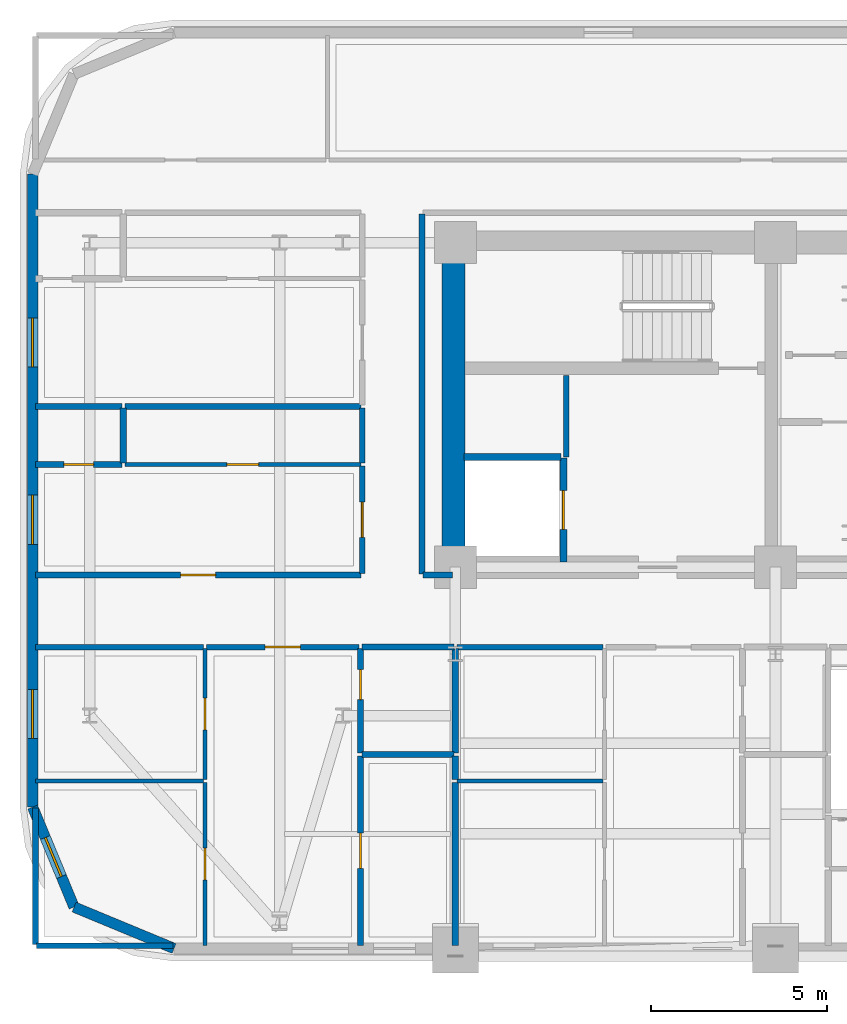
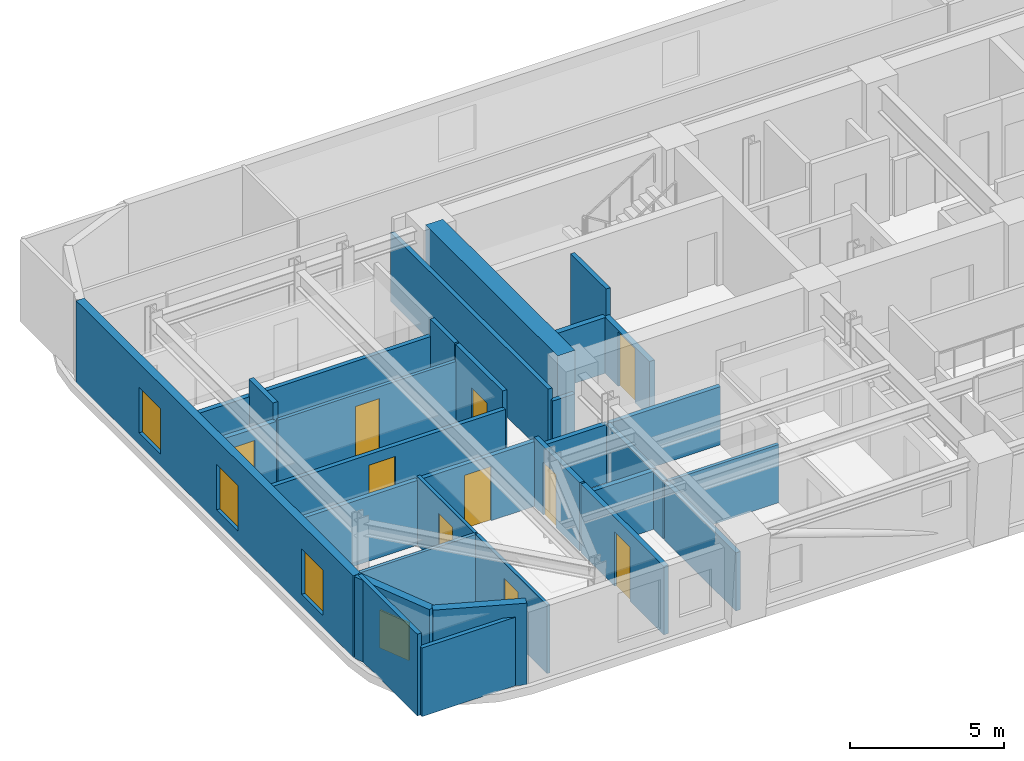
# One storey, part 8 of 16: 33 walls, 10 doors, 4 windows, 14 openings.
"""IFC4 building model written with IfcOpenShell, lengths in metres."""

from ifc_helpers import new_model, si_unit, direction, frame, frame_2d, origin, place, context, subcontext, project, spatial, rectangle, extrude, material, layer, layer_set, type_object, element, fill, save


model = new_model("IFC4")

# Units and contexts
model_context = context("Model", 3, precision=1e-05, world=origin(), true_north=direction((0.0, 1.0)))
body_context = subcontext(model_context, "Body", "Model", "MODEL_VIEW")
ifc_project = project(units=[si_unit("LENGTHUNIT", "METRE"), si_unit("AREAUNIT", "SQUARE_METRE"), si_unit("VOLUMEUNIT", "CUBIC_METRE"), si_unit("PLANEANGLEUNIT", "RADIAN"), si_unit("MASSUNIT", "GRAM", prefix="KILO")], contexts=[model_context])

# Site, building, storey
site_placement = place(None, origin())
site = spatial("IfcSite", under=ifc_project, at=site_placement, CompositionType="ELEMENT")
building_placement = place(site_placement, origin())
building = spatial("IfcBuilding", under=site, at=building_placement, Name="Zarnavel Station Tower", CompositionType="ELEMENT")
storey_placement = place(building_placement, frame((0.0, 0.0, 101.300048828125)))
storey = spatial("IfcBuildingStorey", under=building, at=storey_placement, Name="L27", CompositionType="ELEMENT", Elevation=101.300048828125)

# Wall
ifc_material_1 = material(Name="Concrete C60/75", Category="concrete")
ifc_layer_1 = layer(ifc_material_1, 0.64990234375)
ifc_layer_set_1 = layer_set([ifc_layer_1], Name="CW_650")
wall_type_1 = type_object("IfcWallType", Name="CW_650", PredefinedType="SHEAR", material=ifc_layer_set_1)
wall_1_placement = place(storey_placement, frame((12.14990234375, 28.14501953125, 0.0), z_axis=(0.0, 0.0, 1.0), x_axis=(0.0, 1.0, 0.0)))
element("IfcWall", 1, at=wall_1_placement, inside=storey, type_object=wall_type_1, Name="L27 Rear Core Shear Wall W", PredefinedType="SHEAR", context=body_context, shape_type="SweptSolid", body=[
    extrude(rectangle(XDim=8.580078125, YDim=0.64990234375, at=frame_2d((4.2900390625, 0.0))), origin(), (0.0, 0.0, 1.0), 3.5),
])

# Wall, openings, windows
ifc_material_2 = material(Name="Precast concrete C45/55 (Dark Basalt Finish)", Category="masonry")
ifc_layer_2 = layer(ifc_material_2, 0.300048828125)
ifc_layer_set_2 = layer_set([ifc_layer_2], Name="EW_BASALT_300")
wall_type_2 = type_object("IfcWallType", Name="EW_BASALT_300", PredefinedType="SOLIDWALL", material=ifc_layer_set_2)
wall_2_placement = place(storey_placement, frame((0.179931640625, 21.0, 0.0), z_axis=(0.0, 0.0, 1.0), x_axis=(0.0, 1.0, 0.0)))
wall_2 = element("IfcWall", 2, at=wall_2_placement, inside=storey, type_object=wall_type_2, Name="L27 Exterior Basalt Masonry Frame Wall 09", PredefinedType="SOLIDWALL", context=body_context, shape_type="SweptSolid", body=[
    extrude(rectangle(XDim=18.0, YDim=0.300048828125, at=frame_2d((9.0, 0.0))), origin(), (0.0, 0.0, 1.0), 3.239990234375),
])
opening_1_placement = place(wall_2_placement, frame((7.470458984375, 0.0, 0.47998046875)))
opening_1 = element("IfcOpeningElement", 3, at=opening_1_placement, cuts=wall_2, Name="Opening WN01", PredefinedType="OPENING", context=body_context, shape_type="SweptSolid", body=[
    extrude(rectangle(XDim=1.39990234375, YDim=1.800048828125, at=frame_2d((0.699951171875, 0.89990234375))), frame((0.0, 0.159912109375, 0.0), z_axis=(0.0, -1.0, 0.0), x_axis=(1.0, 0.0, 0.0)), (0.0, 0.0, 1.0), 0.320068359375),
])
opening_2_placement = place(wall_2_placement, frame((12.509033203125, 0.0, 0.47998046875)))
opening_2 = element("IfcOpeningElement", 4, at=opening_2_placement, cuts=wall_2, Name="Opening WN01", PredefinedType="OPENING", context=body_context, shape_type="SweptSolid", body=[
    extrude(rectangle(XDim=1.39990234375, YDim=1.800048828125, at=frame_2d((0.699951171875, 0.89990234375))), frame((0.0, 0.159912109375, 0.0), z_axis=(0.0, -1.0, 0.0), x_axis=(1.0, 0.0, 0.0)), (0.0, 0.0, 1.0), 0.320068359375),
])
opening_3_placement = place(wall_2_placement, frame((1.945556640625, 0.0, 0.47998046875)))
opening_3 = element("IfcOpeningElement", 5, at=opening_3_placement, cuts=wall_2, Name="Opening WN01", PredefinedType="OPENING", context=body_context, shape_type="SweptSolid", body=[
    extrude(rectangle(XDim=1.39990234375, YDim=1.800048828125, at=frame_2d((0.699951171875, 0.89990234375))), frame((0.0, 0.159912109375, 0.0), z_axis=(0.0, -1.0, 0.0), x_axis=(1.0, 0.0, 0.0)), (0.0, 0.0, 1.0), 0.320068359375),
])
ifc_material_3 = material(Name="Thermally Broken Black Aluminium and Low-E Dark Glass", Category="aluminium")
window_type_1 = type_object("IfcWindowType", Name="WN_1400x1800", PartitioningType="DOUBLE_PANEL_VERTICAL", PredefinedType="WINDOW", material=ifc_material_3)
window_1_placement = place(opening_1_placement, origin())
window_1 = element("IfcWindow", 6, at=window_1_placement, inside=storey, type_object=window_type_1, Name="L27 Recessed Facade Window 01", OverallHeight=1.800048828125, OverallWidth=1.39990234375, PartitioningType="SINGLE_PANEL", PredefinedType="WINDOW", context=body_context, shape_type="SweptSolid", body=[
    extrude(rectangle(XDim=1.39990234375, YDim=1.800048828125, at=frame_2d((0.699951171875, 0.89990234375))), frame((0.0, 0.030029296875, 0.0), z_axis=(0.0, -1.0, 0.0), x_axis=(1.0, 0.0, 0.0)), (0.0, 0.0, 1.0), 0.06005859375),
])
fill(opening_1, window_1)
window_2_placement = place(opening_2_placement, origin())
window_2 = element("IfcWindow", 7, at=window_2_placement, inside=storey, type_object=window_type_1, Name="L27 Recessed Facade Window 02", OverallHeight=1.800048828125, OverallWidth=1.39990234375, PartitioningType="SINGLE_PANEL", PredefinedType="WINDOW", context=body_context, shape_type="SweptSolid", body=[
    extrude(rectangle(XDim=1.39990234375, YDim=1.800048828125, at=frame_2d((0.699951171875, 0.89990234375))), frame((0.0, 0.030029296875, 0.0), z_axis=(0.0, -1.0, 0.0), x_axis=(1.0, 0.0, 0.0)), (0.0, 0.0, 1.0), 0.06005859375),
])
fill(opening_2, window_2)
window_3_placement = place(opening_3_placement, origin())
window_3 = element("IfcWindow", 8, at=window_3_placement, inside=storey, type_object=window_type_1, Name="L27 Recessed Facade Window 03", OverallHeight=1.800048828125, OverallWidth=1.39990234375, PartitioningType="SINGLE_PANEL", PredefinedType="WINDOW", context=body_context, shape_type="SweptSolid", body=[
    extrude(rectangle(XDim=1.39990234375, YDim=1.800048828125, at=frame_2d((0.699951171875, 0.89990234375))), frame((0.0, 0.030029296875, 0.0), z_axis=(0.0, -1.0, 0.0), x_axis=(1.0, 0.0, 0.0)), (0.0, 0.0, 1.0), 0.06005859375),
])
fill(opening_3, window_3)

# Wall, opening, window
wall_3_placement = place(storey_placement, frame((1.357421875, 18.157470703125, 0.0), z_axis=(0.0, 0.0, 1.0), x_axis=(-0.382704529509, 0.923870793506, 0.0)))
wall_3 = element("IfcWall", 9, at=wall_3_placement, inside=storey, type_object=wall_type_2, Name="L27 Exterior Basalt Masonry Frame Wall 10", PredefinedType="SOLIDWALL", context=body_context, shape_type="SweptSolid", body=[
    extrude(rectangle(XDim=3.07666015625, YDim=0.300048828125, at=frame_2d((1.538330078125, 0.0))), origin(), (0.0, 0.0, 1.0), 3.239990234375),
])
opening_4_placement = place(wall_3_placement, frame((0.9384765625, 0.0, 0.75)))
opening_4 = element("IfcOpeningElement", 10, at=opening_4_placement, cuts=wall_3, Name="Opening WN08", PredefinedType="OPENING", context=body_context, shape_type="SweptSolid", body=[
    extrude(rectangle(XDim=1.199951171875, YDim=1.5, at=frame_2d((0.60009765625, 0.75))), frame((0.0, 0.159912109375, 0.0), z_axis=(0.0, -1.0, 0.0), x_axis=(1.0, 0.0, 0.0)), (0.0, 0.0, 1.0), 0.320068359375),
])
ifc_material_4 = material(Name="Thermally Broken Black Aluminium and Low-E Dark Glass", Category="aluminium")
window_type_2 = type_object("IfcWindowType", Name="WN_1200x1500", PartitioningType="SINGLE_PANEL", PredefinedType="WINDOW", material=ifc_material_4)
window_4_placement = place(opening_4_placement, origin())
window_4 = element("IfcWindow", 11, at=window_4_placement, inside=storey, type_object=window_type_2, Name="L27 Recessed Facade Window 01", OverallHeight=1.5, OverallWidth=1.199951171875, PartitioningType="SINGLE_PANEL", PredefinedType="WINDOW", context=body_context, shape_type="SweptSolid", body=[
    extrude(rectangle(XDim=1.199951171875, YDim=1.5, at=frame_2d((0.60009765625, 0.75))), frame((0.0, 0.030029296875, 0.0), z_axis=(0.0, -1.0, 0.0), x_axis=(1.0, 0.0, 0.0)), (0.0, 0.0, 1.0), 0.06005859375),
])
fill(opening_4, window_4)

# Wall
wall_4_placement = place(storey_placement, frame((4.199951171875, 16.97998046875, 0.0), z_axis=(0.0, 0.0, 1.0), x_axis=(-0.923870793506, 0.382704529509, 0.0)))
element("IfcWall", 12, at=wall_4_placement, inside=storey, type_object=wall_type_2, Name="L27 Exterior Basalt Masonry Frame Wall 11", PredefinedType="SOLIDWALL", context=body_context, shape_type="SweptSolid", body=[
    extrude(rectangle(XDim=3.07666015625, YDim=0.300048828125, at=frame_2d((1.538330078125, 0.0))), origin(), (0.0, 0.0, 1.0), 3.239990234375),
])

# Wall, opening, door
ifc_material_5 = material(Name="Gypsum Twin-Stud Acoustic Fire Partition", Category="concrete")
ifc_layer_3 = layer(ifc_material_5, 0.159912109375)
ifc_layer_set_3 = layer_set([ifc_layer_3], Name="PT_DEMISE_160")
wall_type_3 = type_object("IfcWallType", Name="PT_DEMISE_160", PredefinedType="PARTITIONING", material=ifc_layer_set_3)
wall_5_placement = place(storey_placement, frame((0.260009765625, 27.60009765625, 0.0), z_axis=(0.0, 0.0, 1.0), x_axis=(1.0, 0.0, 0.0)))
wall_5 = element("IfcWall", 13, at=wall_5_placement, inside=storey, type_object=wall_type_3, Name="L27 Partition COR-S-FNW1R", PredefinedType="PARTITIONING", context=body_context, shape_type="SweptSolid", body=[
    extrude(rectangle(XDim=9.25, YDim=0.159912109375, at=frame_2d((4.625, 0.0))), origin(), (0.0, 0.0, 1.0), 2.570068359375),
])
opening_5_placement = place(wall_5_placement, frame((4.125, 0.0, 0.0)))
opening_5 = element("IfcOpeningElement", 14, at=opening_5_placement, cuts=wall_5, Name="Opening FD02", PredefinedType="OPENING", context=body_context, shape_type="SweptSolid", body=[
    extrude(rectangle(XDim=1.0, YDim=2.14990234375, at=frame_2d((0.5, 1.074951171875))), frame((0.0, 0.08984375, 0.0), z_axis=(0.0, -1.0, 0.0), x_axis=(1.0, 0.0, 0.0)), (0.0, 0.0, 1.0), 0.179931640625),
])
ifc_material_6 = material(Name="Painted Galvanised Steel and Hardwood Leaf", Category="steel")
door_type_1 = type_object("IfcDoorType", Name="ID_ENTRY_1000", OperationType="NOTDEFINED", PredefinedType="DOOR", material=ifc_material_6)
door_1_placement = place(opening_5_placement, origin())
door_1 = element("IfcDoor", 15, at=door_1_placement, inside=storey, type_object=door_type_1, Name="L27 Door COR-S-FNW1R", OperationType="SINGLE_SWING_LEFT", OverallHeight=2.14990234375, OverallWidth=1.0, PredefinedType="DOOR", context=body_context, shape_type="SweptSolid", body=[
    extrude(rectangle(XDim=1.0, YDim=2.14990234375, at=frame_2d((0.5, 1.074951171875))), frame((0.0, 0.02490234375, 0.0), z_axis=(0.0, -1.0, 0.0), x_axis=(1.0, 0.0, 0.0)), (0.0, 0.0, 1.0), 0.050048828125),
])
fill(opening_5, door_1)

wall_6_placement = place(storey_placement, frame((5.1220703125, 25.550048828125, 0.0), z_axis=(0.0, 0.0, 1.0), x_axis=(1.0, 0.0, 0.0)))
wall_6 = element("IfcWall", 16, at=wall_6_placement, inside=storey, type_object=wall_type_3, Name="L27 Partition COR-S-UW1ALV", PredefinedType="PARTITIONING", context=body_context, shape_type="SweptSolid", body=[
    extrude(rectangle(XDim=4.337890625, YDim=0.159912109375, at=frame_2d((2.1689453125, 0.0))), origin(), (0.0, 0.0, 1.0), 2.570068359375),
])
opening_6_placement = place(wall_6_placement, frame((1.6689453125, 0.0, 0.0)))
opening_6 = element("IfcOpeningElement", 17, at=opening_6_placement, cuts=wall_6, Name="Opening FD02", PredefinedType="OPENING", context=body_context, shape_type="SweptSolid", body=[
    extrude(rectangle(XDim=1.0, YDim=2.14990234375, at=frame_2d((0.5, 1.074951171875))), frame((0.0, 0.08984375, 0.0), z_axis=(0.0, -1.0, 0.0), x_axis=(1.0, 0.0, 0.0)), (0.0, 0.0, 1.0), 0.179931640625),
])
door_2_placement = place(opening_6_placement, origin())
door_2 = element("IfcDoor", 18, at=door_2_placement, inside=storey, type_object=door_type_1, Name="L27 Door COR-S-UW1ALV", OperationType="SINGLE_SWING_LEFT", OverallHeight=2.14990234375, OverallWidth=1.0, PredefinedType="DOOR", context=body_context, shape_type="SweptSolid", body=[
    extrude(rectangle(XDim=1.0, YDim=2.14990234375, at=frame_2d((0.5, 1.074951171875))), frame((0.0, 0.02490234375, 0.0), z_axis=(0.0, -1.0, 0.0), x_axis=(1.0, 0.0, 0.0)), (0.0, 0.0, 1.0), 0.050048828125),
])
fill(opening_6, door_2)

# Walls
wall_7_placement = place(storey_placement, frame((0.260009765625, 25.550048828125, 0.0), z_axis=(0.0, 0.0, 1.0), x_axis=(1.0, 0.0, 0.0)))
element("IfcWall", 19, at=wall_7_placement, inside=storey, type_object=wall_type_3, Name="L27 Partition COR-S-UW1AB2", PredefinedType="PARTITIONING", context=body_context, shape_type="SweptSolid", body=[
    extrude(rectangle(XDim=4.781982421875, YDim=0.159912109375, at=frame_2d((2.39111328125, 0.0))), origin(), (0.0, 0.0, 1.0), 2.570068359375),
])
wall_8_placement = place(storey_placement, frame((12.239990234375, 25.550048828125, 0.0), z_axis=(0.0, 0.0, 1.0), x_axis=(1.0, 0.0, 0.0)))
element("IfcWall", 20, at=wall_8_placement, inside=storey, type_object=wall_type_3, Name="L27 Partition COR-S-UW1BB2", PredefinedType="PARTITIONING", context=body_context, shape_type="SweptSolid", body=[
    extrude(rectangle(XDim=4.159912109375, YDim=0.159912109375, at=frame_2d((2.080078125, 0.0))), origin(), (0.0, 0.0, 1.0), 2.31005859375),
])

# Wall, opening, door
wall_9_placement = place(storey_placement, frame((9.550048828125, 27.639892578125, 0.0), z_axis=(0.0, 0.0, 1.0), x_axis=(0.0, 1.0, 0.0)))
wall_9 = element("IfcWall", 21, at=wall_9_placement, inside=storey, type_object=wall_type_3, Name="L27 Partition COR-W-FNW1R", PredefinedType="PARTITIONING", context=body_context, shape_type="SweptSolid", body=[
    extrude(rectangle(XDim=3.06103515625, YDim=0.159912109375, at=frame_2d((1.530517578125, 0.0))), origin(), (0.0, 0.0, 1.0), 3.239990234375),
])
opening_7_placement = place(wall_9_placement, frame((1.030517578125, 0.0, 0.0)))
opening_7 = element("IfcOpeningElement", 22, at=opening_7_placement, cuts=wall_9, Name="Opening FD02", PredefinedType="OPENING", context=body_context, shape_type="SweptSolid", body=[
    extrude(rectangle(XDim=1.0, YDim=2.14990234375, at=frame_2d((0.5, 1.074951171875))), frame((0.0, 0.08984375, 0.0), z_axis=(0.0, -1.0, 0.0), x_axis=(1.0, 0.0, 0.0)), (0.0, 0.0, 1.0), 0.179931640625),
])
door_3_placement = place(opening_7_placement, origin())
door_3 = element("IfcDoor", 23, at=door_3_placement, inside=storey, type_object=door_type_1, Name="L27 Door COR-W-FNW1R", OperationType="SINGLE_SWING_LEFT", OverallHeight=2.14990234375, OverallWidth=1.0, PredefinedType="DOOR", context=body_context, shape_type="SweptSolid", body=[
    extrude(rectangle(XDim=1.0, YDim=2.14990234375, at=frame_2d((0.5, 1.074951171875))), frame((0.0, 0.02490234375, 0.0), z_axis=(0.0, -1.0, 0.0), x_axis=(1.0, 0.0, 0.0)), (0.0, 0.0, 1.0), 0.050048828125),
])
fill(opening_7, door_3)

# Walls
wall_10_placement = place(storey_placement, frame((9.550048828125, 30.781005859375, 0.0), z_axis=(0.0, 0.0, 1.0), x_axis=(0.0, 1.0, 0.0)))
element("IfcWall", 24, at=wall_10_placement, inside=storey, type_object=wall_type_3, Name="L27 Partition COR-W-FNW1S", PredefinedType="PARTITIONING", context=body_context, shape_type="SweptSolid", body=[
    extrude(rectangle(XDim=1.570068359375, YDim=0.159912109375, at=frame_2d((0.78515625, 0.0))), origin(), (0.0, 0.0, 1.0), 3.239990234375),
])
wall_11_placement = place(storey_placement, frame((2.800048828125, 32.39111328125, 0.0), z_axis=(0.0, 0.0, 1.0), x_axis=(1.0, 0.0, 0.0)))
element("IfcWall", 25, at=wall_11_placement, inside=storey, type_object=wall_type_3, Name="L27 Partition FNW1S-FNW2R", PredefinedType="PARTITIONING", context=body_context, shape_type="SweptSolid", body=[
    extrude(rectangle(XDim=6.7099609375, YDim=0.159912109375, at=frame_2d((3.35498046875, 0.0))), origin(), (0.0, 0.0, 1.0), 2.570068359375),
])
wall_12_placement = place(storey_placement, frame((15.35009765625, 30.9599609375, 0.0), z_axis=(0.0, 0.0, 1.0), x_axis=(0.0, 1.0, 0.0)))
element("IfcWall", 26, at=wall_12_placement, inside=storey, type_object=wall_type_3, Name="L27 Enclosure Wall FFL1", PredefinedType="PARTITIONING", context=body_context, shape_type="SweptSolid", body=[
    extrude(rectangle(XDim=2.31005859375, YDim=0.159912109375, at=frame_2d((1.155029296875, 0.0))), origin(), (0.0, 0.0, 1.0), 3.239990234375),
])
wall_13_placement = place(storey_placement, frame((11.280029296875, 27.60009765625, 0.0), z_axis=(0.0, 0.0, 1.0), x_axis=(1.0, 0.0, 0.0)))
element("IfcWall", 27, at=wall_13_placement, inside=storey, type_object=wall_type_3, Name="L27 Enclosure Wall COR-S", PredefinedType="PARTITIONING", context=body_context, shape_type="SweptSolid", body=[
    extrude(rectangle(XDim=0.840087890625, YDim=0.159912109375, at=frame_2d((0.419921875, 0.0))), origin(), (0.0, 0.0, 1.0), 2.280029296875),
])
wall_14_placement = place(storey_placement, frame((11.25, 27.6298828125, 0.0), z_axis=(0.0, 0.0, 1.0), x_axis=(0.0, 1.0, 0.0)))
element("IfcWall", 28, at=wall_14_placement, inside=storey, type_object=wall_type_3, Name="L27 Enclosure Wall COR-W", PredefinedType="PARTITIONING", context=body_context, shape_type="SweptSolid", body=[
    extrude(rectangle(XDim=10.240234375, YDim=0.159912109375, at=frame_2d((5.1201171875, 0.0))), origin(), (0.0, 0.0, 1.0), 2.719970703125),
])
wall_15_placement = place(storey_placement, frame((0.2900390625, 17.06005859375, 0.0), z_axis=(0.0, 0.0, 1.0), x_axis=(1.0, 0.0, 0.0)))
element("IfcWall", 29, at=wall_15_placement, inside=storey, type_object=wall_type_3, Name="L27 Enclosure Wall UW1AB1", PredefinedType="PARTITIONING", context=body_context, shape_type="SweptSolid", body=[
    extrude(rectangle(XDim=3.8798828125, YDim=0.159912109375, at=frame_2d((1.93994140625, 0.0))), origin(), (0.0, 0.0, 1.0), 2.719970703125),
])
wall_16_placement = place(storey_placement, frame((0.260009765625, 17.090087890625, 0.0), z_axis=(0.0, 0.0, 1.0), x_axis=(0.0, 1.0, 0.0)))
element("IfcWall", 30, at=wall_16_placement, inside=storey, type_object=wall_type_3, Name="L27 Enclosure Wall UW1AB1", PredefinedType="PARTITIONING", context=body_context, shape_type="SweptSolid", body=[
    extrude(rectangle(XDim=3.8798828125, YDim=0.159912109375, at=frame_2d((1.93994140625, 0.0))), origin(), (0.0, 0.0, 1.0), 3.239990234375),
])

# Wall, opening, door
ifc_material_7 = material(Name="Gypsum Metal-Stud Interior Partition", Category="concrete")
ifc_layer_4 = layer(ifc_material_7, 0.1201171875)
ifc_layer_set_4 = layer_set([ifc_layer_4], Name="PT_ROOM_120")
wall_type_4 = type_object("IfcWallType", Name="PT_ROOM_120", PredefinedType="PARTITIONING", material=ifc_layer_set_4)
wall_17_placement = place(storey_placement, frame((2.800048828125, 30.740966796875, 0.0), z_axis=(0.0, 0.0, 1.0), x_axis=(1.0, 0.0, 0.0)))
wall_17 = element("IfcWall", 31, at=wall_17_placement, inside=storey, type_object=wall_type_4, Name="L27 Partition FNW1R-FNW1S", PredefinedType="PARTITIONING", context=body_context, shape_type="SweptSolid", body=[
    extrude(rectangle(XDim=6.7099609375, YDim=0.1201171875, at=frame_2d((3.35498046875, 0.0))), origin(), (0.0, 0.0, 1.0), 2.570068359375),
])
opening_8_placement = place(wall_17_placement, frame((2.905029296875, 0.0, 0.0)))
opening_8 = element("IfcOpeningElement", 32, at=opening_8_placement, cuts=wall_17, Name="Opening ID01", PredefinedType="OPENING", context=body_context, shape_type="SweptSolid", body=[
    extrude(rectangle(XDim=0.89990234375, YDim=2.10009765625, at=frame_2d((0.449951171875, 1.050048828125))), frame((0.0, 0.070068359375, 0.0), z_axis=(0.0, -1.0, 0.0), x_axis=(1.0, 0.0, 0.0)), (0.0, 0.0, 1.0), 0.14013671875),
])
ifc_material_8 = material(Name="Painted Galvanised Steel and Hardwood Leaf", Category="steel")
door_type_2 = type_object("IfcDoorType", Name="ID_ROOM_900", OperationType="NOTDEFINED", PredefinedType="DOOR", material=ifc_material_8)
door_4_placement = place(opening_8_placement, origin())
door_4 = element("IfcDoor", 33, at=door_4_placement, inside=storey, type_object=door_type_2, Name="L27 Door FNW1R-FNW1S", OperationType="SINGLE_SWING_LEFT", OverallHeight=2.10009765625, OverallWidth=0.89990234375, PredefinedType="DOOR", context=body_context, shape_type="SweptSolid", body=[
    extrude(rectangle(XDim=0.89990234375, YDim=2.10009765625, at=frame_2d((0.449951171875, 1.050048828125))), frame((0.0, 0.02490234375, 0.0), z_axis=(0.0, -1.0, 0.0), x_axis=(1.0, 0.0, 0.0)), (0.0, 0.0, 1.0), 0.050048828125),
])
fill(opening_8, door_4)

wall_18_placement = place(storey_placement, frame((5.08203125, 17.06005859375, 0.0), z_axis=(0.0, 0.0, 1.0), x_axis=(0.0, 1.0, 0.0)))
wall_18 = element("IfcWall", 34, at=wall_18_placement, inside=storey, type_object=wall_type_4, Name="L27 Partition UW1ALV-UW1AB1", PredefinedType="PARTITIONING", context=body_context, shape_type="SweptSolid", body=[
    extrude(rectangle(XDim=4.640869140625, YDim=0.1201171875, at=frame_2d((2.3203125, 0.0))), origin(), (0.0, 0.0, 1.0), 2.719970703125),
])
opening_9_placement = place(wall_18_placement, frame((1.87060546875, 0.0, 0.0)))
opening_9 = element("IfcOpeningElement", 35, at=opening_9_placement, cuts=wall_18, Name="Opening ID01", PredefinedType="OPENING", context=body_context, shape_type="SweptSolid", body=[
    extrude(rectangle(XDim=0.89990234375, YDim=2.10009765625, at=frame_2d((0.449951171875, 1.050048828125))), frame((0.0, 0.070068359375, 0.0), z_axis=(0.0, -1.0, 0.0), x_axis=(1.0, 0.0, 0.0)), (0.0, 0.0, 1.0), 0.14013671875),
])
door_5_placement = place(opening_9_placement, origin())
door_5 = element("IfcDoor", 36, at=door_5_placement, inside=storey, type_object=door_type_2, Name="L27 Door UW1ALV-UW1AB1", OperationType="SINGLE_SWING_LEFT", OverallHeight=2.10009765625, OverallWidth=0.89990234375, PredefinedType="DOOR", context=body_context, shape_type="SweptSolid", body=[
    extrude(rectangle(XDim=0.89990234375, YDim=2.10009765625, at=frame_2d((0.449951171875, 1.050048828125))), frame((0.0, 0.02490234375, 0.0), z_axis=(0.0, -1.0, 0.0), x_axis=(1.0, 0.0, 0.0)), (0.0, 0.0, 1.0), 0.050048828125),
])
fill(opening_9, door_5)

wall_19_placement = place(storey_placement, frame((5.08203125, 21.781005859375, 0.0), z_axis=(0.0, 0.0, 1.0), x_axis=(0.0, 1.0, 0.0)))
wall_19 = element("IfcWall", 37, at=wall_19_placement, inside=storey, type_object=wall_type_4, Name="L27 Partition UW1ALV-UW1AB2", PredefinedType="PARTITIONING", context=body_context, shape_type="SweptSolid", body=[
    extrude(rectangle(XDim=3.72900390625, YDim=0.1201171875, at=frame_2d((1.864501953125, 0.0))), origin(), (0.0, 0.0, 1.0), 2.719970703125),
])
opening_10_placement = place(wall_19_placement, frame((1.41455078125, 0.0, 0.0)))
opening_10 = element("IfcOpeningElement", 38, at=opening_10_placement, cuts=wall_19, Name="Opening ID01", PredefinedType="OPENING", context=body_context, shape_type="SweptSolid", body=[
    extrude(rectangle(XDim=0.89990234375, YDim=2.10009765625, at=frame_2d((0.449951171875, 1.050048828125))), frame((0.0, 0.070068359375, 0.0), z_axis=(0.0, -1.0, 0.0), x_axis=(1.0, 0.0, 0.0)), (0.0, 0.0, 1.0), 0.14013671875),
])
door_6_placement = place(opening_10_placement, origin())
door_6 = element("IfcDoor", 39, at=door_6_placement, inside=storey, type_object=door_type_2, Name="L27 Door UW1ALV-UW1AB2", OperationType="SINGLE_SWING_RIGHT", OverallHeight=2.10009765625, OverallWidth=0.89990234375, PredefinedType="DOOR", context=body_context, shape_type="SweptSolid", body=[
    extrude(rectangle(XDim=0.89990234375, YDim=2.10009765625, at=frame_2d((0.449951171875, 1.050048828125))), frame((0.0, 0.02490234375, 0.0), z_axis=(0.0, -1.0, 0.0), x_axis=(1.0, 0.0, 0.0)), (0.0, 0.0, 1.0), 0.050048828125),
])
fill(opening_10, door_6)

# Walls
wall_20_placement = place(storey_placement, frame((0.260009765625, 21.740966796875, 0.0), z_axis=(0.0, 0.0, 1.0), x_axis=(1.0, 0.0, 0.0)))
element("IfcWall", 40, at=wall_20_placement, inside=storey, type_object=wall_type_4, Name="L27 Partition UW1AB1-UW1AB2", PredefinedType="PARTITIONING", context=body_context, shape_type="SweptSolid", body=[
    extrude(rectangle(XDim=4.781982421875, YDim=0.1201171875, at=frame_2d((2.39111328125, 0.0))), origin(), (0.0, 0.0, 1.0), 2.719970703125),
])
wall_21_placement = place(storey_placement, frame((12.239990234375, 21.740966796875, 0.0), z_axis=(0.0, 0.0, 1.0), x_axis=(1.0, 0.0, 0.0)))
element("IfcWall", 41, at=wall_21_placement, inside=storey, type_object=wall_type_4, Name="L27 Partition UW1BB1-UW1BB2", PredefinedType="PARTITIONING", context=body_context, shape_type="SweptSolid", body=[
    extrude(rectangle(XDim=4.159912109375, YDim=0.1201171875, at=frame_2d((2.080078125, 0.0))), origin(), (0.0, 0.0, 1.0), 2.31005859375),
])

# Wall, opening, door
ifc_material_9 = material(Name="Precast concrete C45/55 (Fire Shaft Blockwork)", Category="masonry")
ifc_layer_5 = layer(ifc_material_9, 0.199951171875)
ifc_layer_set_5 = layer_set([ifc_layer_5], Name="PT_SHAFT_200")
wall_type_5 = type_object("IfcWallType", Name="PT_SHAFT_200", PredefinedType="PARTITIONING", material=ifc_layer_set_5)
wall_22_placement = place(storey_placement, frame((15.27001953125, 27.969970703125, 0.0), z_axis=(0.0, 0.0, 1.0), x_axis=(0.0, 1.0, 0.0)))
wall_22 = element("IfcWall", 42, at=wall_22_placement, inside=storey, type_object=wall_type_5, Name="L27 Lift FFL-01 Shaft Front Wall", PredefinedType="PARTITIONING", context=body_context, shape_type="SweptSolid", body=[
    extrude(rectangle(XDim=2.9599609375, YDim=0.199951171875, at=frame_2d((1.47998046875, 0.0))), origin(), (0.0, 0.0, 1.0), 2.2119140625),
])
opening_11_placement = place(wall_22_placement, frame((0.929931640625, 0.0, 0.0)))
opening_11 = element("IfcOpeningElement", 43, at=opening_11_placement, cuts=wall_22, Name="Opening LD01", PredefinedType="OPENING", context=body_context, shape_type="SweptSolid", body=[
    extrude(rectangle(XDim=1.10009765625, YDim=2.14990234375, at=frame_2d((0.550048828125, 1.074951171875))), frame((0.0, 0.10986328125, 0.0), z_axis=(0.0, -1.0, 0.0), x_axis=(1.0, 0.0, 0.0)), (0.0, 0.0, 1.0), 0.219970703125),
])
ifc_material_10 = material(Name="Painted Galvanised Steel and Hardwood Leaf", Category="steel")
door_type_3 = type_object("IfcDoorType", Name="LD_FF_1100", OperationType="DOUBLE_DOOR_SLIDING", PredefinedType="DOOR", material=ifc_material_10)
door_7_placement = place(opening_11_placement, origin())
door_7 = element("IfcDoor", 44, at=door_7_placement, inside=storey, type_object=door_type_3, Name="L27 Lift FFL-01 Sliding Landing Door", OperationType="DOUBLE_DOOR_SLIDING", OverallHeight=2.14990234375, OverallWidth=1.10009765625, PredefinedType="DOOR", context=body_context, shape_type="SweptSolid", body=[
    extrude(rectangle(XDim=1.10009765625, YDim=2.14990234375, at=frame_2d((0.550048828125, 1.074951171875))), frame((0.0, 0.02490234375, 0.0), z_axis=(0.0, -1.0, 0.0), x_axis=(1.0, 0.0, 0.0)), (0.0, 0.0, 1.0), 0.050048828125),
])
fill(opening_11, door_7)

# Walls
wall_23_placement = place(storey_placement, frame((12.449951171875, 30.949951171875, 0.0), z_axis=(0.0, 0.0, 1.0), x_axis=(1.0, 0.0, 0.0)))
element("IfcWall", 45, at=wall_23_placement, inside=storey, type_object=wall_type_5, Name="L27 Lift FFL-01 North Shaft Wall", PredefinedType="PARTITIONING", context=body_context, shape_type="SweptSolid", body=[
    extrude(rectangle(XDim=2.75, YDim=0.199951171875, at=frame_2d((1.375, 0.0))), origin(), (0.0, 0.0, 1.0), 2.2119140625),
])
ifc_material_11 = material(Name="Moisture-Resistant Plumbing Chase Wall", Category="concrete")
ifc_layer_6 = layer(ifc_material_11, 0.179931640625)
ifc_layer_set_6 = layer_set([ifc_layer_6], Name="PW_PLUMB_180")
wall_type_6 = type_object("IfcWallType", Name="PW_PLUMB_180", PredefinedType="PLUMBINGWALL", material=ifc_layer_set_6)
wall_24_placement = place(storey_placement, frame((9.5400390625, 25.550048828125, 0.0), z_axis=(0.0, 0.0, 1.0), x_axis=(1.0, 0.0, 0.0)))
element("IfcWall", 46, at=wall_24_placement, inside=storey, type_object=wall_type_6, Name="L27 Partition COR-S-UW1ABA", PredefinedType="PLUMBINGWALL", context=body_context, shape_type="SweptSolid", body=[
    extrude(rectangle(XDim=2.619873046875, YDim=0.179931640625, at=frame_2d((1.31005859375, 0.0))), origin(), (0.0, 0.0, 1.0), 2.31005859375),
])

# Wall, opening, door
wall_25_placement = place(storey_placement, frame((0.260009765625, 30.740966796875, 0.0), z_axis=(0.0, 0.0, 1.0), x_axis=(1.0, 0.0, 0.0)))
wall_25 = element("IfcWall", 47, at=wall_25_placement, inside=storey, type_object=wall_type_6, Name="L27 Partition FNW1R-FNW1B", PredefinedType="PLUMBINGWALL", context=body_context, shape_type="SweptSolid", body=[
    extrude(rectangle(XDim=2.4599609375, YDim=0.179931640625, at=frame_2d((1.22998046875, 0.0))), origin(), (0.0, 0.0, 1.0), 2.570068359375),
])
opening_12_placement = place(wall_25_placement, frame((0.804931640625, 0.0, 0.0)))
opening_12 = element("IfcOpeningElement", 48, at=opening_12_placement, cuts=wall_25, Name="Opening ID02", PredefinedType="OPENING", context=body_context, shape_type="SweptSolid", body=[
    extrude(rectangle(XDim=0.85009765625, YDim=2.10009765625, at=frame_2d((0.425048828125, 1.050048828125))), frame((0.0, 0.099853515625, 0.0), z_axis=(0.0, -1.0, 0.0), x_axis=(1.0, 0.0, 0.0)), (0.0, 0.0, 1.0), 0.199951171875),
])
ifc_material_12 = material(Name="Painted Galvanised Steel and Hardwood Leaf", Category="steel")
door_type_4 = type_object("IfcDoorType", Name="ID_BATH_850", OperationType="NOTDEFINED", PredefinedType="DOOR", material=ifc_material_12)
door_8_placement = place(opening_12_placement, origin())
door_8 = element("IfcDoor", 49, at=door_8_placement, inside=storey, type_object=door_type_4, Name="L27 Door FNW1R-FNW1B", OperationType="SINGLE_SWING_RIGHT", OverallHeight=2.10009765625, OverallWidth=0.85009765625, PredefinedType="DOOR", context=body_context, shape_type="SweptSolid", body=[
    extrude(rectangle(XDim=0.85009765625, YDim=2.10009765625, at=frame_2d((0.425048828125, 1.050048828125))), frame((0.0, 0.02490234375, 0.0), z_axis=(0.0, -1.0, 0.0), x_axis=(1.0, 0.0, 0.0)), (0.0, 0.0, 1.0), 0.050048828125),
])
fill(opening_12, door_8)

# Walls
wall_26_placement = place(storey_placement, frame((2.760009765625, 30.781005859375, 0.0), z_axis=(0.0, 0.0, 1.0), x_axis=(0.0, 1.0, 0.0)))
element("IfcWall", 50, at=wall_26_placement, inside=storey, type_object=wall_type_6, Name="L27 Partition FNW1B-FNW1S", PredefinedType="PLUMBINGWALL", context=body_context, shape_type="SweptSolid", body=[
    extrude(rectangle(XDim=1.570068359375, YDim=0.179931640625, at=frame_2d((0.78515625, 0.0))), origin(), (0.0, 0.0, 1.0), 3.239990234375),
])
wall_27_placement = place(storey_placement, frame((0.260009765625, 32.39111328125, 0.0), z_axis=(0.0, 0.0, 1.0), x_axis=(1.0, 0.0, 0.0)))
element("IfcWall", 51, at=wall_27_placement, inside=storey, type_object=wall_type_6, Name="L27 Partition FNW1B-FNW2R", PredefinedType="PLUMBINGWALL", context=body_context, shape_type="SweptSolid", body=[
    extrude(rectangle(XDim=2.4599609375, YDim=0.179931640625, at=frame_2d((1.22998046875, 0.0))), origin(), (0.0, 0.0, 1.0), 2.570068359375),
])

# Wall, opening, door
wall_28_placement = place(storey_placement, frame((9.5, 17.06005859375, 0.0), z_axis=(0.0, 0.0, 1.0), x_axis=(0.0, 1.0, 0.0)))
wall_28 = element("IfcWall", 52, at=wall_28_placement, inside=storey, type_object=wall_type_6, Name="L27 Partition UW1ALV-UW1AKT", PredefinedType="PLUMBINGWALL", context=body_context, shape_type="SweptSolid", body=[
    extrude(rectangle(XDim=5.39404296875, YDim=0.179931640625, at=frame_2d((2.697021484375, 0.0))), origin(), (0.0, 0.0, 1.0), 2.719970703125),
])
opening_13_placement = place(wall_28_placement, frame((2.197021484375, 0.0, 0.0)))
opening_13 = element("IfcOpeningElement", 53, at=opening_13_placement, cuts=wall_28, Name="Opening FD02", PredefinedType="OPENING", context=body_context, shape_type="SweptSolid", body=[
    extrude(rectangle(XDim=1.0, YDim=2.14990234375, at=frame_2d((0.5, 1.074951171875))), frame((0.0, 0.099853515625, 0.0), z_axis=(0.0, -1.0, 0.0), x_axis=(1.0, 0.0, 0.0)), (0.0, 0.0, 1.0), 0.199951171875),
])
door_9_placement = place(opening_13_placement, origin())
door_9 = element("IfcDoor", 54, at=door_9_placement, inside=storey, type_object=door_type_1, Name="L27 Door UW1ALV-UW1AKT", OperationType="SINGLE_SWING_LEFT", OverallHeight=2.14990234375, OverallWidth=1.0, PredefinedType="DOOR", context=body_context, shape_type="SweptSolid", body=[
    extrude(rectangle(XDim=1.0, YDim=2.14990234375, at=frame_2d((0.5, 1.074951171875))), frame((0.0, 0.02490234375, 0.0), z_axis=(0.0, -1.0, 0.0), x_axis=(1.0, 0.0, 0.0)), (0.0, 0.0, 1.0), 0.050048828125),
])
fill(opening_13, door_9)

wall_29_placement = place(storey_placement, frame((9.5, 25.510009765625, 0.0), z_axis=(0.0, 0.0, 1.0), x_axis=(0.0, -1.0, 0.0)))
wall_29 = element("IfcWall", 55, at=wall_29_placement, inside=storey, type_object=wall_type_6, Name="L27 Partition UW1ALV-UW1ABA", PredefinedType="PLUMBINGWALL", context=body_context, shape_type="SweptSolid", body=[
    extrude(rectangle(XDim=2.97607421875, YDim=0.179931640625, at=frame_2d((1.488037109375, 0.0))), origin(), (0.0, 0.0, 1.0), 2.719970703125),
])
opening_14_placement = place(wall_29_placement, frame((0.6015625, 0.0, 0.0)))
opening_14 = element("IfcOpeningElement", 56, at=opening_14_placement, cuts=wall_29, Name="Opening ID02", PredefinedType="OPENING", context=body_context, shape_type="SweptSolid", body=[
    extrude(rectangle(XDim=0.85009765625, YDim=2.10009765625, at=frame_2d((0.425048828125, 1.050048828125))), frame((0.0, 0.099853515625, 0.0), z_axis=(0.0, -1.0, 0.0), x_axis=(1.0, 0.0, 0.0)), (0.0, 0.0, 1.0), 0.199951171875),
])
door_10_placement = place(opening_14_placement, origin())
door_10 = element("IfcDoor", 57, at=door_10_placement, inside=storey, type_object=door_type_4, Name="L27 Door UW1ALV-UW1ABA", OperationType="SINGLE_SWING_RIGHT", OverallHeight=2.10009765625, OverallWidth=0.85009765625, PredefinedType="DOOR", context=body_context, shape_type="SweptSolid", body=[
    extrude(rectangle(XDim=0.85009765625, YDim=2.10009765625, at=frame_2d((0.425048828125, 1.050048828125))), frame((0.0, 0.02490234375, 0.0), z_axis=(0.0, -1.0, 0.0), x_axis=(1.0, 0.0, 0.0)), (0.0, 0.0, 1.0), 0.050048828125),
])
fill(opening_14, door_10)

# Walls
wall_30_placement = place(storey_placement, frame((9.5400390625, 22.493896484375, 0.0), z_axis=(0.0, 0.0, 1.0), x_axis=(1.0, 0.0, 0.0)))
element("IfcWall", 58, at=wall_30_placement, inside=storey, type_object=wall_type_6, Name="L27 Partition UW1AKT-UW1ABA", PredefinedType="PLUMBINGWALL", context=body_context, shape_type="SweptSolid", body=[
    extrude(rectangle(XDim=2.619873046875, YDim=0.179931640625, at=frame_2d((1.31005859375, 0.0))), origin(), (0.0, 0.0, 1.0), 2.31005859375),
])
wall_31_placement = place(storey_placement, frame((12.199951171875, 17.06005859375, 0.0), z_axis=(0.0, 0.0, 1.0), x_axis=(0.0, 1.0, 0.0)))
element("IfcWall", 59, at=wall_31_placement, inside=storey, type_object=wall_type_6, Name="L27 Partition UW1AKT-UW1BB1", PredefinedType="PLUMBINGWALL", context=body_context, shape_type="SweptSolid", body=[
    extrude(rectangle(XDim=4.640869140625, YDim=0.179931640625, at=frame_2d((2.3203125, 0.0))), origin(), (0.0, 0.0, 1.0), 2.31005859375),
])
wall_32_placement = place(storey_placement, frame((12.199951171875, 21.781005859375, 0.0), z_axis=(0.0, 0.0, 1.0), x_axis=(0.0, 1.0, 0.0)))
element("IfcWall", 60, at=wall_32_placement, inside=storey, type_object=wall_type_6, Name="L27 Partition UW1AKT-UW1BB2", PredefinedType="PLUMBINGWALL", context=body_context, shape_type="SweptSolid", body=[
    extrude(rectangle(XDim=0.673095703125, YDim=0.179931640625, at=frame_2d((0.33642578125, 0.0))), origin(), (0.0, 0.0, 1.0), 2.31005859375),
])
wall_33_placement = place(storey_placement, frame((12.199951171875, 22.533935546875, 0.0), z_axis=(0.0, 0.0, 1.0), x_axis=(0.0, 1.0, 0.0)))
element("IfcWall", 61, at=wall_33_placement, inside=storey, type_object=wall_type_6, Name="L27 Partition UW1ABA-UW1BB2", PredefinedType="PLUMBINGWALL", context=body_context, shape_type="SweptSolid", body=[
    extrude(rectangle(XDim=2.97607421875, YDim=0.179931640625, at=frame_2d((1.488037109375, 0.0))), origin(), (0.0, 0.0, 1.0), 2.31005859375),
])

save(model, "model.ifc")
